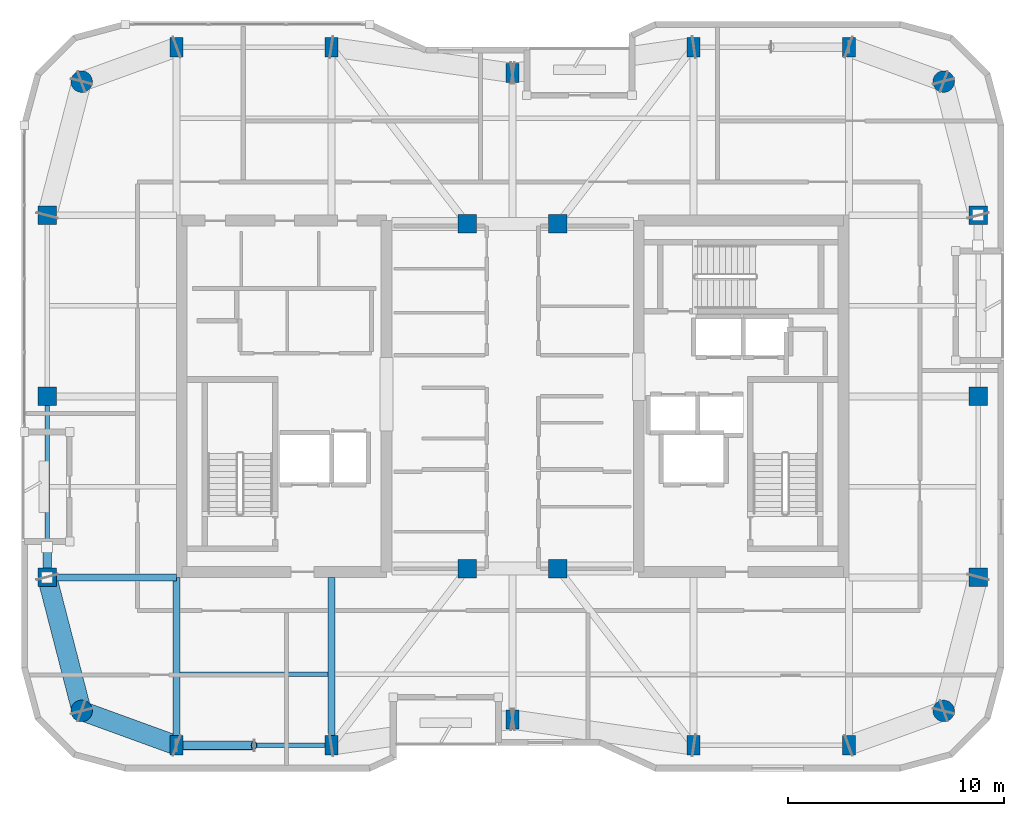
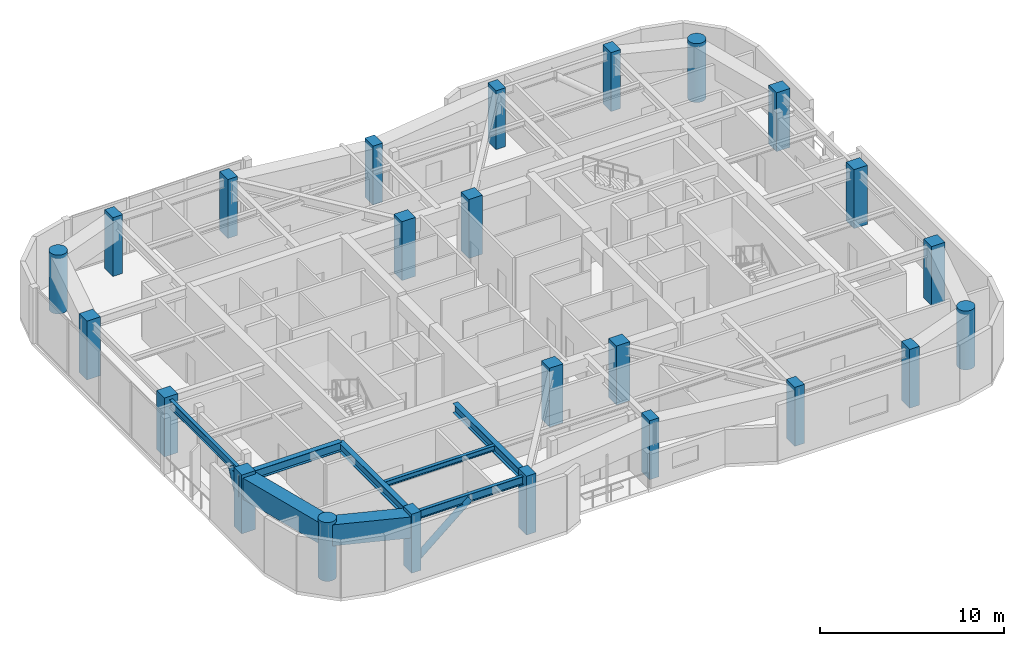
# One storey, part 1 of 16: 24 columns, 8 beams, 2 members.
"""IFC4 building model written with IfcOpenShell, lengths in metres."""

from ifc_helpers import new_model, si_unit, direction, frame, origin, origin_2d, place, context, subcontext, project, spatial, rectangle, hollow_rectangle, circle, hollow_circle, i_section, extrude, material, material_profile, profile_set, type_object, element, save


model = new_model("IFC4")

# Units and contexts
model_context = context("Model", 3, precision=1e-05, world=origin(), true_north=direction((0.0, 1.0)))
body_context = subcontext(model_context, "Body", "Model", "MODEL_VIEW")
ifc_project = project(units=[si_unit("LENGTHUNIT", "METRE"), si_unit("AREAUNIT", "SQUARE_METRE"), si_unit("VOLUMEUNIT", "CUBIC_METRE"), si_unit("PLANEANGLEUNIT", "RADIAN"), si_unit("MASSUNIT", "GRAM", prefix="KILO")], contexts=[model_context])

# Site, building, storey
site_placement = place(None, origin())
site = spatial("IfcSite", under=ifc_project, at=site_placement, CompositionType="ELEMENT")
building_placement = place(site_placement, origin())
building = spatial("IfcBuilding", under=site, at=building_placement, Name="Kiyonajd Concourse Tower", CompositionType="ELEMENT")
storey_placement = place(building_placement, frame((0.0, 0.0, 329.699951171875)))
storey = spatial("IfcBuildingStorey", under=building, at=storey_placement, Name="L83", CompositionType="ELEMENT", Elevation=329.699951171875)

# Columns
ifc_material_1 = material(Name="Concrete C60/75", Category="concrete")
ifc_material_profile_1 = material_profile(ifc_material_1, rectangle(XDim=0.60009765625, YDim=0.89990234375, at=origin_2d()), Name="RC-900x600")
ifc_profile_set_1 = profile_set([ifc_material_profile_1], Name="Concrete C60/75")
column_type_1 = type_object("IfcColumnType", Name="CL-BLADE-900", PredefinedType="COLUMN", material=ifc_profile_set_1)
for number, where, z_axis, x_axis, name in (
    (1, (32.39990234375, 19.800048828125, 0.0), (0.0, 0.0, 1.0), (1.0, 0.0, 0.0), "L83 Perimeter Bundled Tube Column"),
    (2, (32.39990234375, 52.199951171875, 0.0), (0.0, 0.0, 1.0), (1.0, 0.0, 0.0), "L83 Perimeter Bundled Tube Column"),
    (3, (39.60009765625, 19.800048828125, 0.0), (0.0, 0.0, 1.0), (1.0, 0.0, 0.0), "L83 Perimeter Bundled Tube Column"),
    (4, (39.60009765625, 52.199951171875, 0.0), (0.0, 0.0, 1.0), (1.0, 0.0, 0.0), "L83 Perimeter Bundled Tube Column"),
    (5, (48.0, 21.0, 0.0), (0.0, 0.0, 1.0), (1.0, 0.0, 0.0), "L83 Perimeter Bundled Tube Column"),
    (6, (48.0, 51.0, 0.0), (0.0, 0.0, 1.0), (1.0, 0.0, 0.0), "L83 Perimeter Bundled Tube Column"),
    (7, (56.39990234375, 19.800048828125, 0.0), (0.0, 0.0, 1.0), (1.0, 0.0, 0.0), "L83 Perimeter Bundled Tube Column"),
    (8, (56.39990234375, 52.199951171875, 0.0), (0.0, 0.0, 1.0), (1.0, 0.0, 0.0), "L83 Perimeter Bundled Tube Column"),
    (9, (63.60009765625, 19.800048828125, 0.0), (0.0, 0.0, 1.0), (1.0, 0.0, 0.0), "L83 Perimeter Bundled Tube Column"),
    (10, (63.60009765625, 52.199951171875, 0.0), (0.0, 0.0, 1.0), (1.0, 0.0, 0.0), "L83 Perimeter Bundled Tube Column"),
):
    element("IfcColumn", number, at=place(storey_placement, frame(where, z_axis=z_axis, x_axis=x_axis)), inside=storey, type_object=column_type_1, Name=name, PredefinedType="COLUMN", context=body_context, shape_type="SweptSolid", body=[
        extrude(rectangle(XDim=0.60009765625, YDim=0.89990234375, at=origin_2d()), origin(), (0.0, 0.0, 1.0), 3.900146484375),
    ])
ifc_material_profile_2 = material_profile(ifc_material_1, circle(Radius=0.5, at=origin_2d()), Name="RCC-D1000")
ifc_profile_set_2 = profile_set([ifc_material_profile_2], Name="Concrete C60/75")
column_type_2 = type_object("IfcColumnType", Name="CL-RND-1000", PredefinedType="COLUMN", material=ifc_profile_set_2)
for number, where, z_axis, x_axis, name in (
    (11, (28.0, 21.39990234375, 0.0), (0.0, 0.0, 1.0), (1.0, 0.0, 0.0), "L83 Bundled Tube Corner Column South West"),
    (12, (68.0, 21.39990234375, 0.0), (0.0, 0.0, 1.0), (1.0, 0.0, 0.0), "L83 Bundled Tube Corner Column South East"),
    (13, (68.0, 50.60009765625, 0.0), (0.0, 0.0, 1.0), (1.0, 0.0, 0.0), "L83 Bundled Tube Corner Column North East"),
    (14, (28.0, 50.60009765625, 0.0), (0.0, 0.0, 1.0), (1.0, 0.0, 0.0), "L83 Bundled Tube Corner Column North West"),
):
    element("IfcColumn", number, at=place(storey_placement, frame(where, z_axis=z_axis, x_axis=x_axis)), inside=storey, type_object=column_type_2, Name=name, PredefinedType="COLUMN", context=body_context, shape_type="SweptSolid", body=[
        extrude(circle(Radius=0.5, at=origin_2d()), origin(), (0.0, 0.0, 1.0), 3.900146484375),
    ])
ifc_material_profile_3 = material_profile(ifc_material_1, rectangle(XDim=0.85009765625, YDim=0.85009765625, at=origin_2d()), Name="RC-850x850")
ifc_profile_set_3 = profile_set([ifc_material_profile_3], Name="Concrete C60/75")
column_type_3 = type_object("IfcColumnType", Name="CL-TUBE-850", PredefinedType="COLUMN", material=ifc_profile_set_3)
for number, where, z_axis, x_axis, name in (
    (15, (26.39990234375, 27.60009765625, 0.0), (0.0, 0.0, 1.0), (1.0, 0.0, 0.0), "L83 Perimeter Bundled Tube Column"),
    (16, (69.60009765625, 27.60009765625, 0.0), (0.0, 0.0, 1.0), (1.0, 0.0, 0.0), "L83 Perimeter Bundled Tube Column"),
    (17, (26.39990234375, 36.0, 0.0), (0.0, 0.0, 1.0), (1.0, 0.0, 0.0), "L83 Perimeter Bundled Tube Column"),
    (18, (69.60009765625, 36.0, 0.0), (0.0, 0.0, 1.0), (1.0, 0.0, 0.0), "L83 Perimeter Bundled Tube Column"),
    (19, (26.39990234375, 44.39990234375, 0.0), (0.0, 0.0, 1.0), (1.0, 0.0, 0.0), "L83 Perimeter Bundled Tube Column"),
    (20, (69.60009765625, 44.39990234375, 0.0), (0.0, 0.0, 1.0), (1.0, 0.0, 0.0), "L83 Perimeter Bundled Tube Column"),
    (21, (45.89990234375, 28.0, 0.0), (0.0, 0.0, 1.0), (1.0, 0.0, 0.0), "L83 Core Tie Column South West"),
    (22, (50.10009765625, 28.0, 0.0), (0.0, 0.0, 1.0), (1.0, 0.0, 0.0), "L83 Core Tie Column South East"),
    (23, (45.89990234375, 44.0, 0.0), (0.0, 0.0, 1.0), (1.0, 0.0, 0.0), "L83 Core Tie Column North West"),
    (24, (50.10009765625, 44.0, 0.0), (0.0, 0.0, 1.0), (1.0, 0.0, 0.0), "L83 Core Tie Column North East"),
):
    element("IfcColumn", number, at=place(storey_placement, frame(where, z_axis=z_axis, x_axis=x_axis)), inside=storey, type_object=column_type_3, Name=name, PredefinedType="COLUMN", context=body_context, shape_type="SweptSolid", body=[
        extrude(rectangle(XDim=0.85009765625, YDim=0.85009765625, at=origin_2d()), origin(), (0.0, 0.0, 1.0), 3.900146484375),
    ])

# Beams
ifc_material_2 = material(Name="Steel ASTM A992 Grade 50", Category="steel")
ifc_material_profile_4 = material_profile(ifc_material_2, i_section(OverallWidth=0.205078125, OverallDepth=0.35400390625, WebThickness=0.009521484375, FlangeThickness=0.016845703125, at=origin_2d()), Name="W360X79")
ifc_profile_set_4 = profile_set([ifc_material_profile_4], Name="Steel ASTM A992 Grade 50")
beam_type_1 = type_object("IfcBeamType", Name="BM-JST-360", PredefinedType="JOIST", material=ifc_profile_set_4)
beam_1_placement = place(storey_placement, frame((32.56201171875, 23.10009765625, 3.5029296875), z_axis=(1.0, 0.0, 0.0), x_axis=(0.0, 1.0, 0.0)))
element("IfcBeam", 25, at=beam_1_placement, inside=storey, type_object=beam_type_1, Name="L83 Secondary Floor Joist", PredefinedType="JOIST", context=body_context, shape_type="SweptSolid", body=[
    extrude(i_section(OverallWidth=0.205078125, OverallDepth=0.35400390625, WebThickness=0.009521484375, FlangeThickness=0.016845703125, at=origin_2d()), origin(), (0.0, 0.0, 1.0), 6.8759765625),
])
ifc_material_profile_5 = material_profile(ifc_material_2, i_section(OverallWidth=0.2109375, OverallDepth=0.5390625, WebThickness=0.01171875, FlangeThickness=0.018798828125, at=origin_2d()), Name="W530X109")
ifc_profile_set_5 = profile_set([ifc_material_profile_5], Name="Steel ASTM A992 Grade 50")
beam_type_2 = type_object("IfcBeamType", Name="BM-SPAN-530B", PredefinedType="SPANDREL", material=ifc_profile_set_5)
beam_2_placement = place(storey_placement, frame((32.39990234375, 19.800048828125, 3.41064453125), z_axis=(1.0, 0.0, 0.0), x_axis=(0.0, 1.0, 0.0)))
element("IfcBeam", 26, at=beam_2_placement, inside=storey, type_object=beam_type_2, Name="L83 Perimeter Bundled Tube Spandrel", PredefinedType="SPANDREL", context=body_context, shape_type="SweptSolid", body=[
    extrude(i_section(OverallWidth=0.2109375, OverallDepth=0.5390625, WebThickness=0.01171875, FlangeThickness=0.018798828125, at=origin_2d()), origin(), (0.0, 0.0, 1.0), 7.2001953125),
])
beam_3_placement = place(storey_placement, frame((26.39990234375, 36.0, 3.41064453125), z_axis=(0.0, -1.0, 0.0), x_axis=(1.0, 0.0, 0.0)))
element("IfcBeam", 27, at=beam_3_placement, inside=storey, type_object=beam_type_2, Name="L83 Perimeter Bundled Tube Spandrel", PredefinedType="SPANDREL", context=body_context, shape_type="SweptSolid", body=[
    extrude(i_section(OverallWidth=0.2109375, OverallDepth=0.5390625, WebThickness=0.01171875, FlangeThickness=0.018798828125, at=origin_2d()), origin(), (0.0, 0.0, 1.0), 8.39990234375),
])
ifc_material_profile_6 = material_profile(ifc_material_2, i_section(OverallWidth=0.323974609375, OverallDepth=0.611083984375, WebThickness=0.0126953125, FlangeThickness=0.01904296875, at=origin_2d()), Name="W610X155")
ifc_profile_set_6 = profile_set([ifc_material_profile_6], Name="Steel ASTM A992 Grade 50")
beam_type_3 = type_object("IfcBeamType", Name="BM-TWR-610B", PredefinedType="BEAM", material=ifc_profile_set_6)
for number, where, z_axis, x_axis, name in (
    (28, (32.39990234375, 19.800048828125, 3.37451171875), (0.0, 1.0, 0.0), (-1.0, 0.0, 0.0), "L83 South Lease Girder"),
    (29, (39.60009765625, 19.800048828125, 3.37451171875), (0.0, 1.0, 0.0), (-1.0, 0.0, 0.0), "L83 South Lease Girder"),
):
    element("IfcBeam", number, at=place(storey_placement, frame(where, z_axis=z_axis, x_axis=x_axis)), inside=storey, type_object=beam_type_3, Name=name, PredefinedType="BEAM", context=body_context, shape_type="SweptSolid", body=[
        extrude(i_section(OverallWidth=0.323974609375, OverallDepth=0.611083984375, WebThickness=0.0126953125, FlangeThickness=0.01904296875, at=origin_2d()), origin(), (0.0, 0.0, 1.0), 7.800048828125),
    ])
beam_4_placement = place(storey_placement, frame((26.39990234375, 27.60009765625, 3.37451171875), z_axis=(1.0, 0.0, 0.0), x_axis=(0.0, 1.0, 0.0)))
element("IfcBeam", 30, at=beam_4_placement, inside=storey, type_object=beam_type_3, Name="L83 West Lease Girder", PredefinedType="BEAM", context=body_context, shape_type="SweptSolid", body=[
    extrude(i_section(OverallWidth=0.323974609375, OverallDepth=0.611083984375, WebThickness=0.0126953125, FlangeThickness=0.01904296875, at=origin_2d()), origin(), (0.0, 0.0, 1.0), 6.0),
])
ifc_material_3 = material(Name="Steel ASTM A572 Grade 50", Category="steel")
ifc_material_profile_7 = material_profile(ifc_material_3, hollow_rectangle(XDim=0.89990234375, YDim=1.39990234375, WallThickness=0.070068359375, at=origin_2d()), Name="BOX-1400x900x70")
ifc_profile_set_7 = profile_set([ifc_material_profile_7], Name="Steel ASTM A572 Grade 50")
beam_type_4 = type_object("IfcBeamType", Name="BM-XFER-1400", PredefinedType="BEAM", material=ifc_profile_set_7)
beam_5_placement = place(storey_placement, frame((26.39990234375, 27.60009765625, 2.97998046875), z_axis=(0.249884937687, -0.968275538221, 0.0), x_axis=(0.968275538221, 0.249884937687, 0.0)))
element("IfcBeam", 31, at=beam_5_placement, inside=storey, type_object=beam_type_4, Name="L83 Perimeter Bundled Tube Spandrel", PredefinedType="BEAM", context=body_context, shape_type="SweptSolid", body=[
    extrude(hollow_rectangle(XDim=0.89990234375, YDim=1.39990234375, WallThickness=0.070068359375, at=origin_2d()), origin(), (0.0, 0.0, 1.0), 6.4033203125),
])
beam_6_placement = place(storey_placement, frame((28.0, 21.39990234375, 2.97998046875), z_axis=(0.939801036019, -0.341722127901, 0.0), x_axis=(0.341722127901, 0.939801036019, 0.0)))
element("IfcBeam", 32, at=beam_6_placement, inside=storey, type_object=beam_type_4, Name="L83 Perimeter Bundled Tube Spandrel", PredefinedType="BEAM", context=body_context, shape_type="SweptSolid", body=[
    extrude(hollow_rectangle(XDim=0.89990234375, YDim=1.39990234375, WallThickness=0.070068359375, at=origin_2d()), origin(), (0.0, 0.0, 1.0), 4.681640625),
])

# Members
ifc_material_4 = material(Name="Steel ASTM A500 Grade C", Category="steel")
ifc_material_profile_8 = material_profile(ifc_material_4, hollow_circle(Radius=0.202880859375, WallThickness=0.01904296875, at=origin_2d()), Name="CHS-406x19")
ifc_profile_set_8 = profile_set([ifc_material_profile_8], Name="Steel ASTM A500 Grade C")
member_type = type_object("IfcMemberType", Name="MB-PB-HIGH", PredefinedType="BRACE", material=ifc_profile_set_8)
member_1_placement = place(storey_placement, frame((32.39990234375, 19.800048828125, 0.300048828125), z_axis=(0.765082043761, 0.0, 0.643932811957), x_axis=(0.0, 1.0, 0.0)))
element("IfcMember", 33, at=member_1_placement, inside=storey, type_object=member_type, Name="L83 Upper Zone Hollow Tube Brace PBS", PredefinedType="BRACE", context=body_context, shape_type="SweptSolid", body=[
    extrude(hollow_circle(Radius=0.202880859375, WallThickness=0.01904296875, at=origin_2d()), origin(), (0.0, 0.0, 1.0), 4.70556640625),
])
member_2_placement = place(storey_placement, frame((26.39990234375, 27.60009765625, 0.300048828125), z_axis=(0.0, 0.419410666774, 0.907796614114), x_axis=(-1.0, 0.0, 0.0)))
element("IfcMember", 34, at=member_2_placement, inside=storey, type_object=member_type, Name="L83 Upper Zone Hollow Tube Brace PBW", PredefinedType="BRACE", context=body_context, shape_type="SweptSolid", body=[
    extrude(hollow_circle(Radius=0.202880859375, WallThickness=0.01904296875, at=origin_2d()), origin(), (0.0, 0.0, 1.0), 3.337890625),
])

save(model, "model.ifc")
